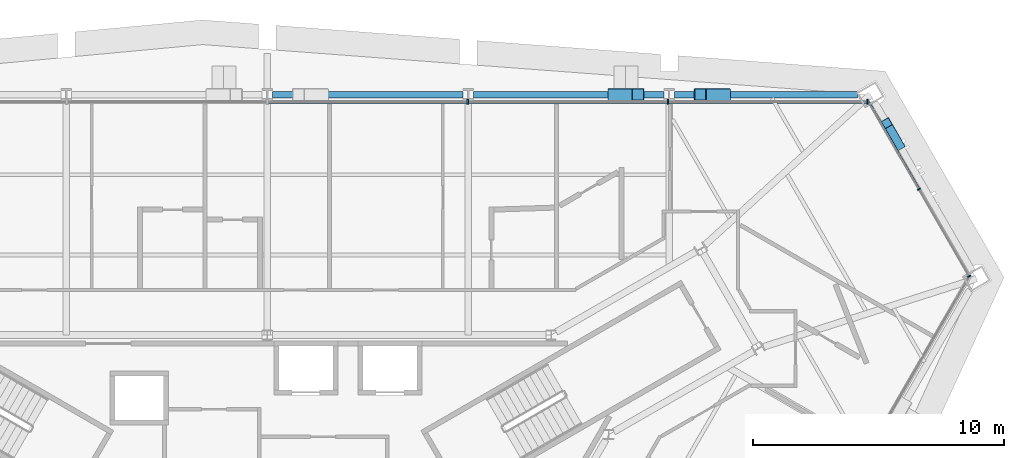
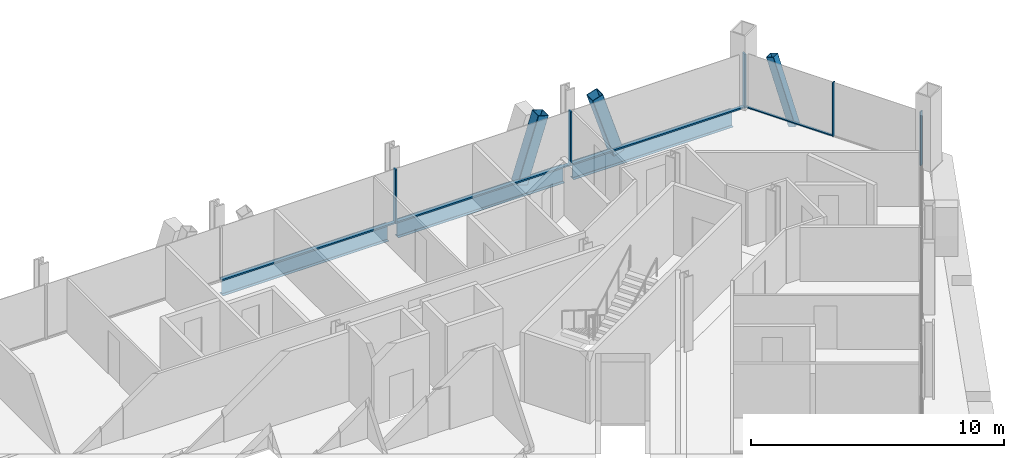
# One storey, part 8 of 16: 12 members, 3 beams, 2 elements without a shape of their own.
"""IFC4 building model written with IfcOpenShell, lengths in metres."""

from ifc_helpers import new_model, si_unit, direction, frame, origin, origin_2d, place, context, subcontext, project, spatial, rectangle, hollow_rectangle, i_section, extrude, material, material_profile, profile_set, type_object, element, aggregate, save


model = new_model("IFC4")

# Units and contexts
model_context = context("Model", 3, precision=1e-05, world=origin(), true_north=direction((0.0, 1.0)))
body_context = subcontext(model_context, "Body", "Model", "MODEL_VIEW")
ifc_project = project(units=[si_unit("LENGTHUNIT", "METRE"), si_unit("AREAUNIT", "SQUARE_METRE"), si_unit("VOLUMEUNIT", "CUBIC_METRE"), si_unit("PLANEANGLEUNIT", "RADIAN"), si_unit("MASSUNIT", "GRAM", prefix="KILO")], contexts=[model_context])

# Site, building, storey
site_placement = place(None, origin())
site = spatial("IfcSite", under=ifc_project, at=site_placement, CompositionType="ELEMENT")
building_placement = place(site_placement, origin())
building = spatial("IfcBuilding", under=site, at=building_placement, Name="Verrane Prism Tower", CompositionType="ELEMENT")
storey_placement = place(building_placement, frame((0.0, 0.0, 110.800048828125)))
storey = spatial("IfcBuildingStorey", under=building, at=storey_placement, Name="L26", CompositionType="ELEMENT", Elevation=110.800048828125)

# Members
ifc_material_1 = material(Name="Steel A500 Grade C", Category="steel")
ifc_material_profile_1 = material_profile(ifc_material_1, hollow_rectangle(XDim=0.355712890625, YDim=0.355712890625, WallThickness=0.0126953125, InnerFilletRadius=0.00634765625, OuterFilletRadius=0.01904296875, at=origin_2d()), Name="HSS14x14x1/2")
ifc_profile_set_1 = profile_set([ifc_material_profile_1], Name="Steel A500 Grade C")
member_type_1 = type_object("IfcMemberType", Name="Chamfer brace HSS14x14x1/2", PredefinedType="BRACE", material=ifc_profile_set_1)
member_1_placement = place(storey_placement, frame((25.231201171875, 16.77978515625, -0.2451171875), z_axis=(-0.159496476686, 0.276075302399, 0.947809738993), x_axis=(-0.865883682865, -0.500245387533, 0.0)))
element("IfcMember", 1, at=member_1_placement, inside=storey, type_object=member_type_1, Name="Chamfer brace NE0 L26", PredefinedType="BRACE", context=body_context, shape_type="SweptSolid", body=[
    extrude(hollow_rectangle(XDim=0.355712890625, YDim=0.355712890625, WallThickness=0.0126953125, InnerFilletRadius=0.00634765625, OuterFilletRadius=0.01904296875, at=origin_2d()), origin(), (0.0, 0.0, 1.0), 3.16845703125),
])
ifc_material_2 = material(Name="Steel A1085 Grade A", Category="steel")
ifc_material_profile_2 = material_profile(ifc_material_2, hollow_rectangle(XDim=0.508056640625, YDim=0.508056640625, WallThickness=0.025390625, InnerFilletRadius=0.0126953125, OuterFilletRadius=0.0380859375, at=origin_2d()), Name="HSS20x20x1")
ifc_profile_set_2 = profile_set([ifc_material_profile_2], Name="Steel A1085 Grade A")
member_type_2 = type_object("IfcMemberType", Name="Facade brace HSS20x20x1", PredefinedType="BRACE", material=ifc_profile_set_2)
member_2_placement = place(storey_placement, frame((18.239990234375, 18.7900390625, -0.24267578125), z_axis=(-0.303580251273, 0.0, 0.952805872692), x_axis=(0.0, -1.0, 0.0)))
element("IfcMember", 2, at=member_2_placement, inside=storey, type_object=member_type_2, Name="Facade brace N0 L26", PredefinedType="BRACE", context=body_context, shape_type="SweptSolid", body=[
    extrude(hollow_rectangle(XDim=0.508056640625, YDim=0.508056640625, WallThickness=0.025390625, InnerFilletRadius=0.0126953125, OuterFilletRadius=0.0380859375, at=origin_2d()), origin(), (0.0, 0.0, 1.0), 3.1572265625),
])
member_3_placement = place(storey_placement, frame((13.8427734375, 18.7900390625, -0.24267578125), z_axis=(0.303229193565, 0.0, 0.952917654454), x_axis=(0.0, 1.0, 0.0)))
element("IfcMember", 3, at=member_3_placement, inside=storey, type_object=member_type_2, Name="Facade brace N1 L26", PredefinedType="BRACE", context=body_context, shape_type="SweptSolid", body=[
    extrude(hollow_rectangle(XDim=0.508056640625, YDim=0.508056640625, WallThickness=0.025390625, InnerFilletRadius=0.0126953125, OuterFilletRadius=0.0380859375, at=origin_2d()), origin(), (0.0, 0.0, 1.0), 3.156982421875),
])

# Curtain wall, members
ifc_material_3 = material(Name="Aluminium framed insulated glazing", Category="aluminium")
curtain_wall_type_1 = type_object("IfcCurtainWallType", Name="Curtain wall CW-C 4200 module", PredefinedType="NOTDEFINED", material=ifc_material_3)
curtain_wall_1_placement = place(storey_placement, origin())
curtain_wall_1 = element("IfcCurtainWall", 4, at=curtain_wall_1_placement, inside=storey, type_object=curtain_wall_type_1, Name="Glazed curtain wall north-east corner L26", PredefinedType="NOTDEFINED")
ifc_material_4 = material(Name="Aluminium alloy 6063-T6", Category="aluminium")
ifc_material_profile_3 = material_profile(ifc_material_4, rectangle(XDim=0.139892578125, YDim=0.050048828125, at=origin_2d()), Name="Mullion 50x140 aluminium")
ifc_profile_set_3 = profile_set([ifc_material_profile_3], Name="Aluminium alloy 6063-T6")
member_type_3 = type_object("IfcMemberType", Name="Mullion 50x140 aluminium", PredefinedType="MULLION", material=ifc_profile_set_3)
member_4_placement = place(storey_placement, frame((28.015380859375, 11.545654296875, 0.0), z_axis=(0.0, 0.0, 1.0), x_axis=(-0.866027890405, -0.499995693021, 0.0)))
member_4 = element("IfcMember", 5, at=member_4_placement, type_object=member_type_3, Name="CW24.1 mullion 1", PredefinedType="MULLION", context=body_context, shape_type="SweptSolid", body=[
    extrude(rectangle(XDim=0.139892578125, YDim=0.050048828125, at=origin_2d()), origin(), (0.0, 0.0, 1.0), 2.61279296875),
])
member_5_placement = place(storey_placement, frame((26.010986328125, 15.017578125, 0.0), z_axis=(0.0, 0.0, 1.0), x_axis=(-0.866027890405, -0.499995693021, 0.0)))
member_5 = element("IfcMember", 6, at=member_5_placement, type_object=member_type_3, Name="CW24.1 mullion 2", PredefinedType="MULLION", context=body_context, shape_type="SweptSolid", body=[
    extrude(rectangle(XDim=0.139892578125, YDim=0.050048828125, at=origin_2d()), origin(), (0.0, 0.0, 1.0), 2.61279296875),
])

ifc_material_5 = material(Name="Aluminium framed insulated glazing", Category="aluminium")
curtain_wall_type_2 = type_object("IfcCurtainWallType", Name="Curtain wall CW-A 8400 module", PredefinedType="NOTDEFINED", material=ifc_material_5)
curtain_wall_2_placement = place(storey_placement, origin())
curtain_wall_2 = element("IfcCurtainWall", 7, at=curtain_wall_2_placement, inside=storey, type_object=curtain_wall_type_2, Name="Glazed curtain wall north face L26", PredefinedType="NOTDEFINED")
ifc_material_6 = material(Name="Aluminium alloy 6063-T6", Category="aluminium")
ifc_material_profile_4 = material_profile(ifc_material_6, rectangle(XDim=0.199951171875, YDim=0.070068359375, at=origin_2d()), Name="Mullion 70x200 aluminium")
ifc_profile_set_4 = profile_set([ifc_material_profile_4], Name="Aluminium alloy 6063-T6")
member_type_4 = type_object("IfcMemberType", Name="Mullion 70x200 aluminium", PredefinedType="MULLION", material=ifc_profile_set_4)
member_6_placement = place(storey_placement, frame((23.958984375, 18.510986328125, 0.0), z_axis=(0.0, 0.0, 1.0), x_axis=(0.0, -1.0, 0.0)))
member_6 = element("IfcMember", 8, at=member_6_placement, type_object=member_type_4, Name="CW24.2 mullion 1", PredefinedType="MULLION", context=body_context, shape_type="SweptSolid", body=[
    extrude(rectangle(XDim=0.199951171875, YDim=0.070068359375, at=origin_2d()), origin(), (0.0, 0.0, 1.0), 2.61279296875),
])
member_7_placement = place(storey_placement, frame((15.99609375, 18.510986328125, 0.0), z_axis=(0.0, 0.0, 1.0), x_axis=(0.0, -1.0, 0.0)))
member_7 = element("IfcMember", 9, at=member_7_placement, type_object=member_type_4, Name="CW24.2 mullion 2", PredefinedType="MULLION", context=body_context, shape_type="SweptSolid", body=[
    extrude(rectangle(XDim=0.199951171875, YDim=0.070068359375, at=origin_2d()), origin(), (0.0, 0.0, 1.0), 2.61279296875),
])
member_8_placement = place(storey_placement, frame((7.998046875, 18.510986328125, 0.0), z_axis=(0.0, 0.0, 1.0), x_axis=(0.0, -1.0, 0.0)))
member_8 = element("IfcMember", 10, at=member_8_placement, type_object=member_type_4, Name="CW24.2 mullion 3", PredefinedType="MULLION", context=body_context, shape_type="SweptSolid", body=[
    extrude(rectangle(XDim=0.199951171875, YDim=0.070068359375, at=origin_2d()), origin(), (0.0, 0.0, 1.0), 2.61279296875),
])

# Beams
ifc_material_7 = material(Name="Steel A992", Category="steel")
ifc_material_profile_5 = material_profile(ifc_material_7, i_section(OverallWidth=0.2666015625, OverallDepth=0.7568359375, WebThickness=0.013916015625, FlangeThickness=0.019287109375, FilletRadius=0.0166015625, at=origin_2d()), Name="W30x108")
ifc_profile_set_5 = profile_set([ifc_material_profile_5], Name="Steel A992")
beam_type = type_object("IfcBeamType", Name="Spandrel beam W30x108", PredefinedType="SPANDREL", material=ifc_profile_set_5)
beam_placement = place(storey_placement, frame((23.55029296875, 18.7900390625, -0.53857421875), z_axis=(-1.0, 0.0, 0.0), x_axis=(0.0, -1.0, 0.0)))
element("IfcBeam", 11, at=beam_placement, inside=storey, type_object=beam_type, Name="Spandrel beam L26", PredefinedType="SPANDREL", context=body_context, shape_type="SweptSolid", body=[
    extrude(i_section(OverallWidth=0.2666015625, OverallDepth=0.7568359375, WebThickness=0.013916015625, FlangeThickness=0.019287109375, FilletRadius=0.0166015625, at=origin_2d()), origin(), (0.0, 0.0, 1.0), 7.298095703125),
])
for number, where, z_axis, x_axis, name in (
    (12, (15.827880859375, 18.7900390625, -0.53857421875), (-1.0, 0.0, 0.0), (0.0, -1.0, 0.0), "Spandrel beam L26"),
    (13, (7.807861328125, 18.7900390625, -0.53857421875), (-1.0, 0.0, 0.0), (0.0, -1.0, 0.0), "Spandrel beam L26"),
):
    element("IfcBeam", number, at=place(storey_placement, frame(where, z_axis=z_axis, x_axis=x_axis)), inside=storey, type_object=beam_type, Name=name, PredefinedType="SPANDREL", context=body_context, shape_type="SweptSolid", body=[
        extrude(i_section(OverallWidth=0.2666015625, OverallDepth=0.7568359375, WebThickness=0.013916015625, FlangeThickness=0.019287109375, FilletRadius=0.0166015625, at=origin_2d()), origin(), (0.0, 0.0, 1.0), 7.595703125),
    ])

# Member
ifc_material_8 = material(Name="Aluminium alloy 6063-T6", Category="aluminium")
ifc_material_profile_6 = material_profile(ifc_material_8, rectangle(XDim=0.10009765625, YDim=0.050048828125, at=origin_2d()), Name="Transom 50x100 aluminium")
ifc_profile_set_6 = profile_set([ifc_material_profile_6], Name="Aluminium alloy 6063-T6")
member_type_5 = type_object("IfcMemberType", Name="Transom 50x100 aluminium", PredefinedType="USERDEFINED", material=ifc_profile_set_6)
member_9_placement = place(storey_placement, frame((25.99853515625, 15.0390625, 0.02490234375), z_axis=(-0.499977246076, 0.86603854037, 0.0), x_axis=(-0.86603854037, -0.499977246076, 0.0)))
member_9 = element("IfcMember", 14, at=member_9_placement, type_object=member_type_5, Name="CW24.1 transom 2", ObjectType="TRANSOM", PredefinedType="USERDEFINED", context=body_context, shape_type="SweptSolid", body=[
    extrude(rectangle(XDim=0.10009765625, YDim=0.050048828125, at=origin_2d()), origin(), (0.0, 0.0, 1.0), 4.009033203125),
])

aggregate(curtain_wall_1, [member_4, member_5, member_9])

ifc_material_9 = material(Name="Aluminium alloy 6063-T6", Category="aluminium")
ifc_material_profile_7 = material_profile(ifc_material_9, rectangle(XDim=0.14990234375, YDim=0.070068359375, at=origin_2d()), Name="Transom 70x150 aluminium")
ifc_profile_set_7 = profile_set([ifc_material_profile_7], Name="Aluminium alloy 6063-T6")
member_type_6 = type_object("IfcMemberType", Name="Transom 70x150 aluminium", PredefinedType="USERDEFINED", material=ifc_profile_set_7)
member_10_placement = place(storey_placement, frame((23.924072265625, 18.510986328125, 0.034912109375), z_axis=(-1.0, 0.0, 0.0), x_axis=(0.0, -1.0, 0.0)))
member_10 = element("IfcMember", 15, at=member_10_placement, type_object=member_type_6, Name="CW24.2 transom 1", ObjectType="TRANSOM", PredefinedType="USERDEFINED", context=body_context, shape_type="SweptSolid", body=[
    extrude(rectangle(XDim=0.14990234375, YDim=0.070068359375, at=origin_2d()), origin(), (0.0, 0.0, 1.0), 7.89306640625),
])

member_11_placement = place(storey_placement, frame((15.961181640625, 18.510986328125, 0.034912109375), z_axis=(-1.0, 0.0, 0.0), x_axis=(0.0, -1.0, 0.0)))
member_11 = element("IfcMember", 16, at=member_11_placement, type_object=member_type_6, Name="CW24.2 transom 2", ObjectType="TRANSOM", PredefinedType="USERDEFINED", context=body_context, shape_type="SweptSolid", body=[
    extrude(rectangle(XDim=0.14990234375, YDim=0.070068359375, at=origin_2d()), origin(), (0.0, 0.0, 1.0), 7.92822265625),
])

member_12_placement = place(storey_placement, frame((7.963134765625, 18.510986328125, 0.034912109375), z_axis=(-1.0, 0.0, 0.0), x_axis=(0.0, -1.0, 0.0)))
member_12 = element("IfcMember", 17, at=member_12_placement, type_object=member_type_6, Name="CW24.2 transom 3", ObjectType="TRANSOM", PredefinedType="USERDEFINED", context=body_context, shape_type="SweptSolid", body=[
    extrude(rectangle(XDim=0.14990234375, YDim=0.070068359375, at=origin_2d()), origin(), (0.0, 0.0, 1.0), 7.92822265625),
])

aggregate(curtain_wall_2, [member_6, member_7, member_8, member_10, member_11, member_12])

save(model, "model.ifc")
